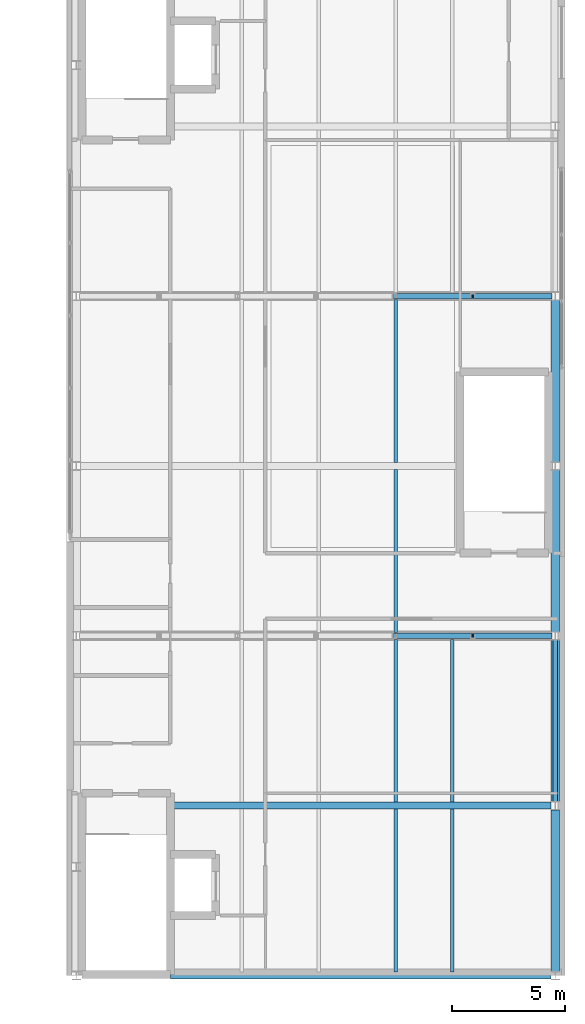
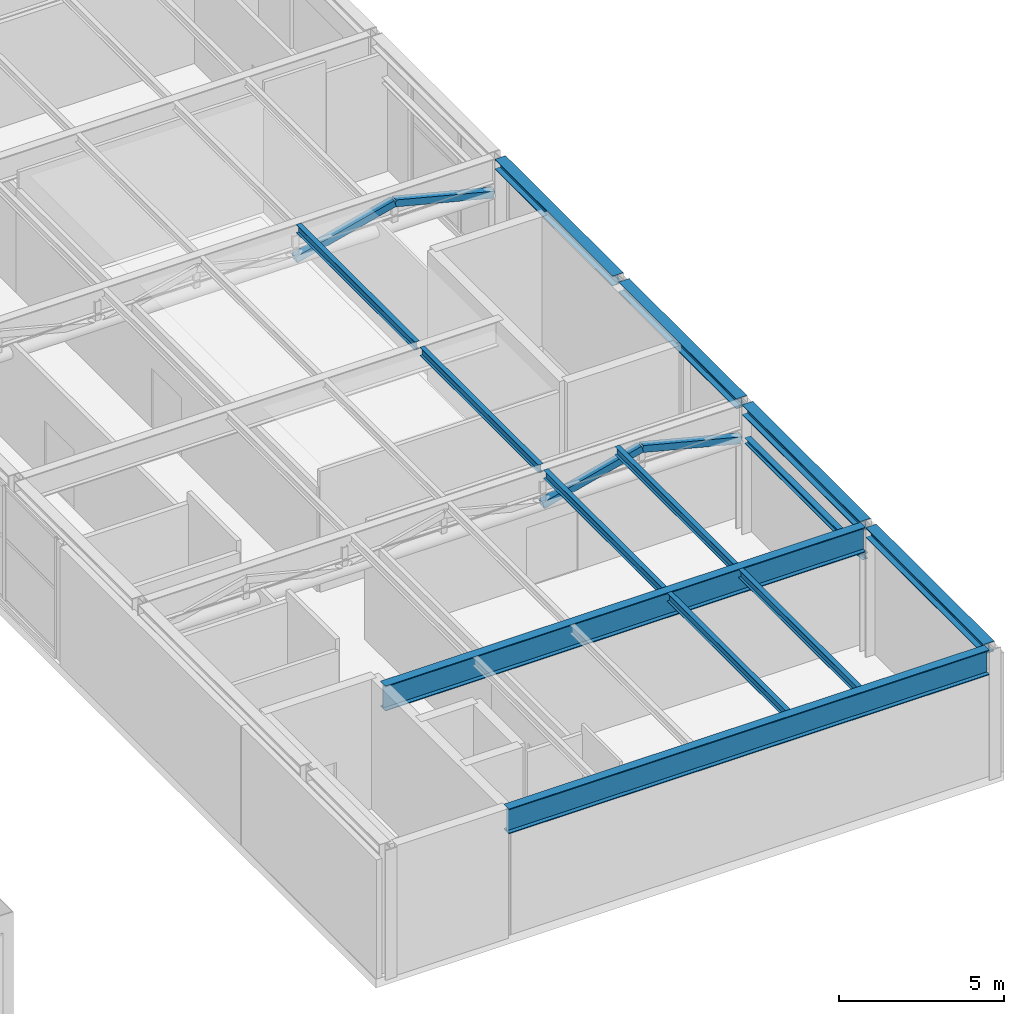
# One storey, part 16 of 27: 13 beams, 4 members.
"""IFC4 building model written with IfcOpenShell, lengths in metres."""

from ifc_helpers import new_model, si_unit, direction, frame, origin, origin_2d, place, context, subcontext, project, spatial, hollow_rectangle, i_section, extrude, material, material_profile, profile_set, type_object, element, save


model = new_model("IFC4")

# Units and contexts
model_context = context("Model", 3, precision=1e-05, world=origin(), true_north=direction((0.0, 1.0)))
body_context = subcontext(model_context, "Body", "Model", "MODEL_VIEW")
ifc_project = project(units=[si_unit("LENGTHUNIT", "METRE"), si_unit("AREAUNIT", "SQUARE_METRE"), si_unit("VOLUMEUNIT", "CUBIC_METRE"), si_unit("PLANEANGLEUNIT", "RADIAN"), si_unit("MASSUNIT", "GRAM", prefix="KILO")], contexts=[model_context])

# Site, building, storey
site_placement = place(None, origin())
site = spatial("IfcSite", under=ifc_project, at=site_placement, CompositionType="ELEMENT")
building_placement = place(site_placement, origin())
building = spatial("IfcBuilding", under=site, at=building_placement, Name="Mersakhor Tower and Convention Hall", CompositionType="ELEMENT")
storey_placement = place(building_placement, frame((0.0, 0.0, 14.39990234375)))
storey = spatial("IfcBuildingStorey", under=building, at=storey_placement, Name="L03", CompositionType="ELEMENT", Elevation=14.39990234375)

# Beams
ifc_material_1 = material(Name="Steel S355", Category="steel")
ifc_material_profile_1 = material_profile(ifc_material_1, i_section(OverallWidth=0.165771484375, OverallDepth=0.306640625, WebThickness=0.006591796875, FlangeThickness=0.01171875, at=origin_2d()), Name="UB 305x165x46")
ifc_profile_set_1 = profile_set([ifc_material_profile_1], Name="Steel S355")
beam_type_1 = type_object("IfcBeamType", Name="BM-JST-305", PredefinedType="JOIST", material=ifc_profile_set_1)
for number, where, z_axis, x_axis, name in (
    (1, (69.60009765625, 3.40380859375, 4.646728515625), (0.0, 1.0, 0.0), (-1.0, 0.0, 0.0), "Convention L03 Composite Floor Joist CJ-1-69"),
    (2, (72.10009765625, 3.40380859375, 4.646728515625), (0.0, 1.0, 0.0), (-1.0, 0.0, 0.0), "Convention L03 Composite Floor Joist CJ-1-72"),
    (3, (69.60009765625, 10.90380859375, 4.646728515625), (0.0, 1.0, 0.0), (-1.0, 0.0, 0.0), "Convention L03 Composite Floor Joist CJ-2-69"),
    (4, (72.10009765625, 10.90380859375, 4.646728515625), (0.0, 1.0, 0.0), (-1.0, 0.0, 0.0), "Convention L03 Composite Floor Joist CJ-2-72"),
    (5, (69.60009765625, 18.40380859375, 4.646728515625), (0.0, 1.0, 0.0), (-1.0, 0.0, 0.0), "Convention L03 Composite Floor Joist CJ-3-69"),
    (6, (69.60009765625, 25.90380859375, 4.646728515625), (0.0, 1.0, 0.0), (-1.0, 0.0, 0.0), "Convention L03 Composite Floor Joist CJ-4-69"),
):
    element("IfcBeam", number, at=place(storey_placement, frame(where, z_axis=z_axis, x_axis=x_axis)), inside=storey, type_object=beam_type_1, Name=name, PredefinedType="JOIST", context=body_context, shape_type="SweptSolid", body=[
        extrude(i_section(OverallWidth=0.165771484375, OverallDepth=0.306640625, WebThickness=0.006591796875, FlangeThickness=0.01171875, at=origin_2d()), origin(), (0.0, 0.0, 1.0), 7.1923828125),
    ])
ifc_material_2 = material(Name="Steel S355", Category="steel")
ifc_material_profile_2 = material_profile(ifc_material_2, i_section(OverallWidth=0.205810546875, OverallDepth=0.209716796875, WebThickness=0.009521484375, FlangeThickness=0.01416015625, at=origin_2d()), Name="UC 203x203x60")
ifc_profile_set_2 = profile_set([ifc_material_profile_2], Name="Steel S355")
beam_type_2 = type_object("IfcBeamType", Name="BM-LNT-UC203", PredefinedType="LINTEL", material=ifc_profile_set_2)
beam_placement = place(storey_placement, frame((76.64990234375, 10.929931640625, 3.4501953125), z_axis=(0.0, 1.0, 0.0), x_axis=(-1.0, 0.0, 0.0)))
element("IfcBeam", 7, at=beam_placement, inside=storey, type_object=beam_type_2, Name="Convention L03 Opening Lintel Beam LNT-2", PredefinedType="LINTEL", context=body_context, shape_type="SweptSolid", body=[
    extrude(i_section(OverallWidth=0.205810546875, OverallDepth=0.209716796875, WebThickness=0.009521484375, FlangeThickness=0.01416015625, at=origin_2d()), origin(), (0.0, 0.0, 1.0), 7.14013671875),
])
ifc_material_3 = material(Name="Steel S355", Category="steel")
ifc_material_profile_3 = material_profile(ifc_material_3, i_section(OverallWidth=0.3076171875, OverallDepth=0.926513671875, WebThickness=0.01953125, FlangeThickness=0.031982421875, at=origin_2d()), Name="UB 914x305x289")
ifc_profile_set_3 = profile_set([ifc_material_profile_3], Name="Steel S355")
beam_type_3 = type_object("IfcBeamType", Name="BM-PR-914", PredefinedType="BEAM", material=ifc_profile_set_3)
for number, where, z_axis, x_axis, name in (
    (8, (59.64990234375, 3.25, 4.3369140625), (1.0, 0.0, 0.0), (0.0, 1.0, 0.0), "Convention L03 Clear-Span Girder CG-1"),
    (9, (59.64990234375, 10.75, 4.3369140625), (1.0, 0.0, 0.0), (0.0, 1.0, 0.0), "Convention L03 Clear-Span Girder CG-2"),
):
    element("IfcBeam", number, at=place(storey_placement, frame(where, z_axis=z_axis, x_axis=x_axis)), inside=storey, type_object=beam_type_3, Name=name, PredefinedType="BEAM", context=body_context, shape_type="SweptSolid", body=[
        extrude(i_section(OverallWidth=0.3076171875, OverallDepth=0.926513671875, WebThickness=0.01953125, FlangeThickness=0.031982421875, at=origin_2d()), origin(), (0.0, 0.0, 1.0), 16.820068359375),
    ])
ifc_material_4 = material(Name="Steel S355", Category="steel")
ifc_material_profile_4 = material_profile(ifc_material_4, i_section(OverallWidth=0.374755859375, OverallDepth=0.37451171875, WebThickness=0.0166015625, FlangeThickness=0.027099609375, at=origin_2d()), Name="UC 356x368x202")
ifc_profile_set_4 = profile_set([ifc_material_profile_4], Name="Steel S355")
beam_type_4 = type_object("IfcBeamType", Name="BM-SPD-UC356", PredefinedType="SPANDREL", material=ifc_profile_set_4)
for number, where, z_axis, x_axis, name in (
    (10, (76.64990234375, 3.429931640625, 4.613037109375), (0.0, 1.0, 0.0), (-1.0, 0.0, 0.0), "Convention L03 Edge Spandrel E1"),
    (11, (76.64990234375, 10.929931640625, 4.613037109375), (0.0, 1.0, 0.0), (-1.0, 0.0, 0.0), "Convention L03 Edge Spandrel E2"),
    (12, (76.64990234375, 18.429931640625, 4.613037109375), (0.0, 1.0, 0.0), (-1.0, 0.0, 0.0), "Convention L03 Edge Spandrel E3"),
    (13, (76.64990234375, 25.929931640625, 4.613037109375), (0.0, 1.0, 0.0), (-1.0, 0.0, 0.0), "Convention L03 Edge Spandrel E4"),
):
    element("IfcBeam", number, at=place(storey_placement, frame(where, z_axis=z_axis, x_axis=x_axis)), inside=storey, type_object=beam_type_4, Name=name, PredefinedType="SPANDREL", context=body_context, shape_type="SweptSolid", body=[
        extrude(i_section(OverallWidth=0.374755859375, OverallDepth=0.37451171875, WebThickness=0.0166015625, FlangeThickness=0.027099609375, at=origin_2d()), origin(), (0.0, 0.0, 1.0), 7.14013671875),
    ])

# Members
ifc_material_5 = material(Name="Steel S355", Category="steel")
ifc_material_profile_5 = material_profile(ifc_material_5, hollow_rectangle(XDim=0.25, YDim=0.25, WallThickness=0.01611328125, at=origin_2d()), Name="SHS 250x250x16")
ifc_profile_set_5 = profile_set([ifc_material_profile_5], Name="Steel S355")
member_type = type_object("IfcMemberType", Name="MB-BRC-SHS250", PredefinedType="BRACE", material=ifc_profile_set_5)
member_1_placement = place(storey_placement, frame((69.5400390625, 18.25, 3.4501953125), z_axis=(0.968778305548, 0.0, 0.247928608071), x_axis=(0.0, 1.0, 0.0)))
element("IfcMember", 14, at=member_1_placement, inside=storey, type_object=member_type, Name="Convention L03 Truss Web Diagonal TD-3-5", PredefinedType="BRACE", context=body_context, shape_type="SweptSolid", body=[
    extrude(hollow_rectangle(XDim=0.25, YDim=0.25, WallThickness=0.01611328125, at=origin_2d()), origin(), (0.0, 0.0, 1.0), 3.576416015625),
])
member_2_placement = place(storey_placement, frame((73.0048828125, 18.25, 4.3369140625), z_axis=(0.968782501118, 0.0, -0.247912213349), x_axis=(0.0, 1.0, 0.0)))
element("IfcMember", 15, at=member_2_placement, inside=storey, type_object=member_type, Name="Convention L03 Truss Web Diagonal TD-3-6", PredefinedType="BRACE", context=body_context, shape_type="SweptSolid", body=[
    extrude(hollow_rectangle(XDim=0.25, YDim=0.25, WallThickness=0.01611328125, at=origin_2d()), origin(), (0.0, 0.0, 1.0), 3.57666015625),
])
member_3_placement = place(storey_placement, frame((69.5400390625, 33.25, 3.4501953125), z_axis=(0.968778305548, 0.0, 0.247928608071), x_axis=(0.0, 1.0, 0.0)))
element("IfcMember", 16, at=member_3_placement, inside=storey, type_object=member_type, Name="Convention L03 Truss Web Diagonal TD-5-5", PredefinedType="BRACE", context=body_context, shape_type="SweptSolid", body=[
    extrude(hollow_rectangle(XDim=0.25, YDim=0.25, WallThickness=0.01611328125, at=origin_2d()), origin(), (0.0, 0.0, 1.0), 3.576416015625),
])
member_4_placement = place(storey_placement, frame((73.0048828125, 33.25, 4.3369140625), z_axis=(0.968782501118, 0.0, -0.247912213349), x_axis=(0.0, 1.0, 0.0)))
element("IfcMember", 17, at=member_4_placement, inside=storey, type_object=member_type, Name="Convention L03 Truss Web Diagonal TD-5-6", PredefinedType="BRACE", context=body_context, shape_type="SweptSolid", body=[
    extrude(hollow_rectangle(XDim=0.25, YDim=0.25, WallThickness=0.01611328125, at=origin_2d()), origin(), (0.0, 0.0, 1.0), 3.57666015625),
])

save(model, "model.ifc")
